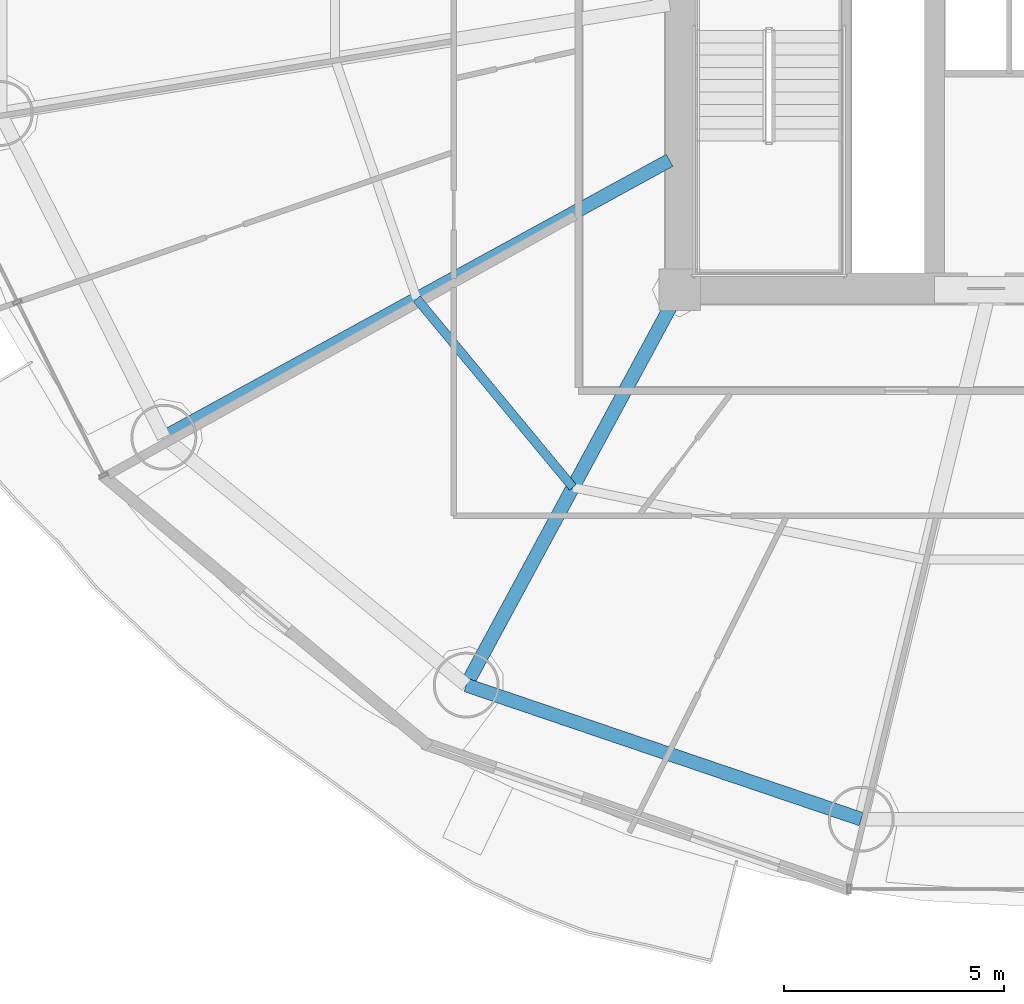
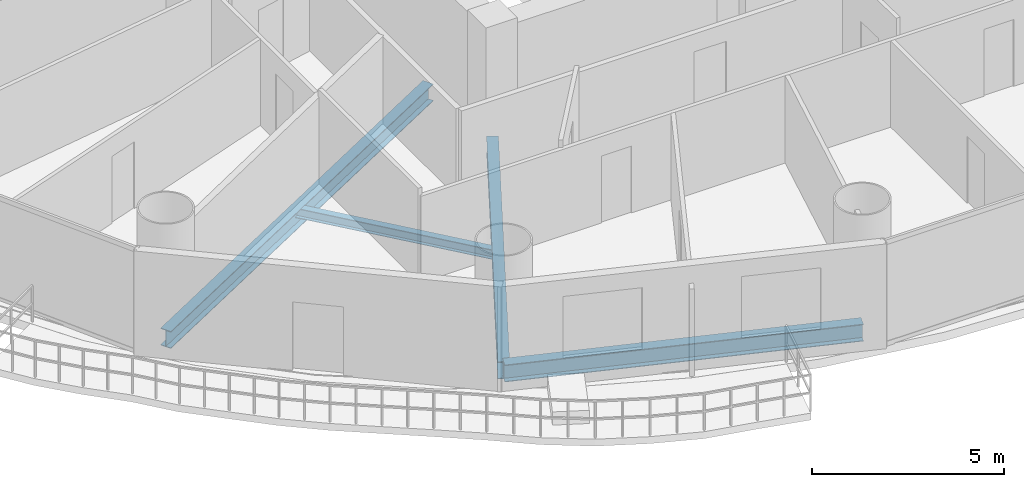
# One storey, part 3 of 28: 4 beams.
"""IFC4 building model written with IfcOpenShell, lengths in metres."""

from ifc_helpers import new_model, si_unit, direction, frame, origin, origin_2d, place, context, subcontext, project, spatial, i_section, extrude, material, material_profile, profile_set, type_object, element, save


model = new_model("IFC4")

# Units and contexts
model_context = context("Model", 3, precision=1e-05, world=origin(), true_north=direction((-0.2419218956, 0.970295726276)))
body_context = subcontext(model_context, "Body", "Model", "MODEL_VIEW")
ifc_project = project(units=[si_unit("LENGTHUNIT", "METRE"), si_unit("AREAUNIT", "SQUARE_METRE"), si_unit("VOLUMEUNIT", "CUBIC_METRE"), si_unit("PLANEANGLEUNIT", "RADIAN"), si_unit("MASSUNIT", "GRAM", prefix="KILO")], contexts=[model_context])

# Site, building, storey
site_placement = place(None, origin())
site = spatial("IfcSite", under=ifc_project, at=site_placement, CompositionType="ELEMENT")
building_placement = place(site_placement, origin())
building = spatial("IfcBuilding", under=site, at=building_placement, Name="Cobrevalo Terracotta Tower", CompositionType="ELEMENT")
storey_placement = place(building_placement, frame((0.0, 0.0, 105.0)))
storey = spatial("IfcBuildingStorey", under=building, at=storey_placement, Name="L27", CompositionType="ELEMENT", Elevation=105.0)

# Beams
ifc_material = material(Name="Steel S355", Category="steel")
ifc_material_profile_1 = material_profile(ifc_material, i_section(OverallWidth=0.31201171875, OverallDepth=0.54296875, WebThickness=0.0126953125, FlangeThickness=0.020263671875, at=origin_2d()), Name="W 530x150")
ifc_profile_set_1 = profile_set([ifc_material_profile_1], Name="Steel S355")
beam_type_1 = type_object("IfcBeamType", Name="Structural Beam W 530x150 (Steel S355)", PredefinedType="BEAM", material=ifc_profile_set_1)
beam_1_placement = place(storey_placement, frame((17.2548828125, 15.4384765625, -0.54638671875), z_axis=(0.877072765004, 0.480357538599, 0.0), x_axis=(-0.480357538599, 0.877072765004, 0.0)))
element("IfcBeam", 1, at=beam_1_placement, inside=storey, type_object=beam_type_1, Name="L27 radial floor girder 10", PredefinedType="BEAM", context=body_context, shape_type="SweptSolid", body=[
    extrude(i_section(OverallWidth=0.31201171875, OverallDepth=0.54296875, WebThickness=0.0126953125, FlangeThickness=0.020263671875, at=origin_2d()), origin(), (0.0, 0.0, 1.0), 13.129150390625),
])
beam_2_placement = place(storey_placement, frame((24.138427734375, 9.79638671875, -0.54638671875), z_axis=(0.475118249298, 0.879921956303, 0.0), x_axis=(-0.879921956303, 0.475118249298, 0.0)))
element("IfcBeam", 2, at=beam_2_placement, inside=storey, type_object=beam_type_1, Name="L27 radial floor girder 11", PredefinedType="BEAM", context=body_context, shape_type="SweptSolid", body=[
    extrude(i_section(OverallWidth=0.31201171875, OverallDepth=0.54296875, WebThickness=0.0126953125, FlangeThickness=0.020263671875, at=origin_2d()), origin(), (0.0, 0.0, 1.0), 10.232421875),
])
ifc_material_profile_2 = material_profile(ifc_material, i_section(OverallWidth=0.2041015625, OverallDepth=0.305908203125, WebThickness=0.008544921875, FlangeThickness=0.0146484375, at=origin_2d()), Name="W 310x67")
ifc_profile_set_2 = profile_set([ifc_material_profile_2], Name="Steel S355")
beam_type_2 = type_object("IfcBeamType", Name="Structural Joist W 310x67 (Steel S355)", PredefinedType="JOIST", material=ifc_profile_set_2)
beam_3_placement = place(storey_placement, frame((23.012451171875, 18.591796875, -0.427978515625), z_axis=(0.6379592588, -0.77007011636, 0.0), x_axis=(0.77007011636, 0.6379592588, 0.0)))
element("IfcBeam", 3, at=beam_3_placement, inside=storey, type_object=beam_type_2, Name="L27 circumferential secondary floor joist 10", PredefinedType="JOIST", context=body_context, shape_type="SweptSolid", body=[
    extrude(i_section(OverallWidth=0.2041015625, OverallDepth=0.305908203125, WebThickness=0.008544921875, FlangeThickness=0.0146484375, at=origin_2d()), origin(), (0.0, 0.0, 1.0), 5.575439453125),
])
ifc_material_profile_3 = material_profile(ifc_material, i_section(OverallWidth=0.31201171875, OverallDepth=0.54296875, WebThickness=0.0126953125, FlangeThickness=0.020263671875, at=origin_2d()), Name="W 530x150")
ifc_profile_set_3 = profile_set([ifc_material_profile_3], Name="Steel S355")
beam_type_3 = type_object("IfcBeamType", Name="Structural Spandrel W 530x150 (Steel S355)", PredefinedType="SPANDREL", material=ifc_profile_set_3)
beam_4_placement = place(storey_placement, frame((24.138427734375, 9.79638671875, -0.54638671875), z_axis=(0.94691835344, -0.321474154356, 0.0), x_axis=(0.321474154356, 0.94691835344, 0.0)))
element("IfcBeam", 4, at=beam_4_placement, inside=storey, type_object=beam_type_3, Name="L27 perimeter ring spandrel 11", PredefinedType="SPANDREL", context=body_context, shape_type="SweptSolid", body=[
    extrude(i_section(OverallWidth=0.31201171875, OverallDepth=0.54296875, WebThickness=0.0126953125, FlangeThickness=0.020263671875, at=origin_2d()), origin(), (0.0, 0.0, 1.0), 9.498291015625),
])

save(model, "model.ifc")
